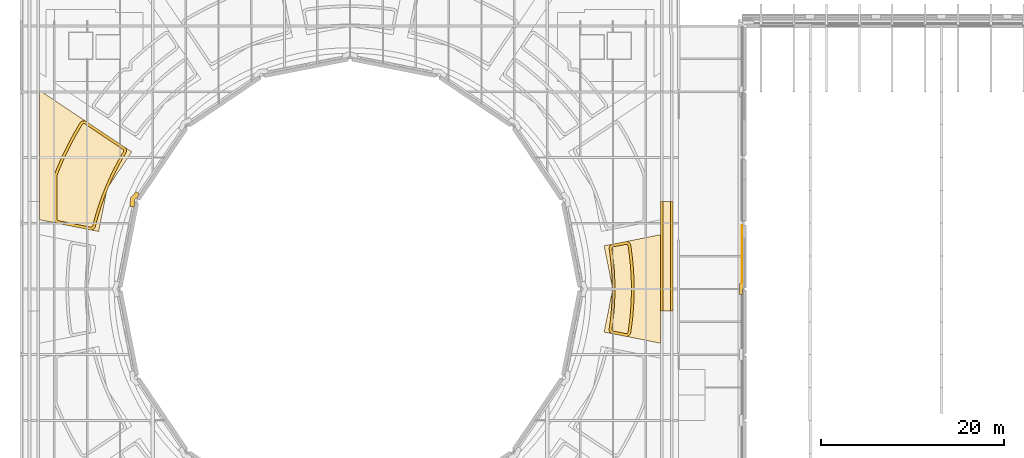
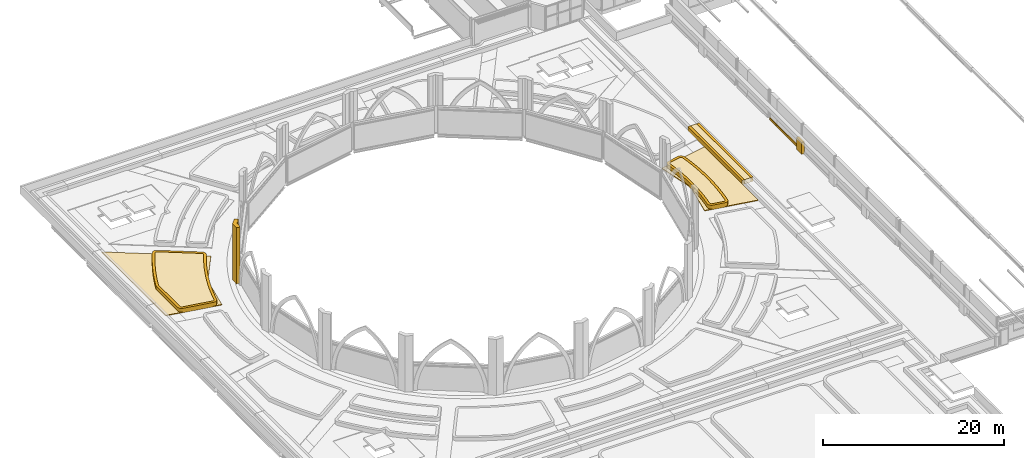
# One storey, part 93 of 110: 13 coverings.
"""IFC4 building model written with IfcOpenShell, lengths in metres."""

from ifc_helpers import new_model, si_unit, direction, frame, origin, origin_2d, place, context, subcontext, project, spatial, polyline, rectangle, outline, extrude, material, layer, layer_set, type_object, element, save


model = new_model("IFC4")

# Units and contexts
model_context = context("Model", 3, precision=1e-05, world=origin(), true_north=direction((0.0, 1.0)))
body_context = subcontext(model_context, "Body", "Model", "MODEL_VIEW")
ifc_project = project(units=[si_unit("LENGTHUNIT", "METRE"), si_unit("AREAUNIT", "SQUARE_METRE"), si_unit("VOLUMEUNIT", "CUBIC_METRE"), si_unit("PLANEANGLEUNIT", "RADIAN"), si_unit("MASSUNIT", "GRAM", prefix="KILO")], contexts=[model_context])

# Site, building, storey
site_placement = place(None, origin())
site = spatial("IfcSite", under=ifc_project, at=site_placement, CompositionType="ELEMENT")
building_placement = place(site_placement, origin())
building = spatial("IfcBuilding", under=site, at=building_placement, Name="Kupolbacken Congress Centre", CompositionType="ELEMENT")
storey_placement = place(building_placement, frame((0.0, 0.0, 18.0)))
storey = spatial("IfcBuildingStorey", under=building, at=storey_placement, Name="L05", CompositionType="ELEMENT", Elevation=18.0)

# Coverings
ifc_material_1 = material(Name="Brick cladding", Category="masonry")
ifc_layer_1 = layer(ifc_material_1, 0.10791015625)
ifc_layer_set_1 = layer_set([ifc_layer_1], Name="Brick cladding")
covering_type_1 = type_object("IfcCoveringType", Name="CV2 brick cladding band 108", PredefinedType="CLADDING", material=ifc_layer_set_1)
covering_1_placement = place(storey_placement, frame((86.135986328125, 92.62744140625, 0.0), z_axis=(0.0, 0.0, 1.0), x_axis=(0.0, -1.0, 0.0)))
element("IfcCovering", 1, at=covering_1_placement, inside=storey, type_object=covering_type_1, Name="E/H/W/L05/474/band", PredefinedType="CLADDING", context=body_context, shape_type="SweptSolid", body=[
    extrude(rectangle(XDim=1.455078125, YDim=0.10791015625, at=origin_2d()), origin(), (0.0, 0.0, 1.0), 0.300048828125),
])
covering_2_placement = place(storey_placement, frame((86.135986328125, 89.222412109375, 0.0), z_axis=(0.0, 0.0, 1.0), x_axis=(0.0, -1.0, 0.0)))
element("IfcCovering", 2, at=covering_2_placement, inside=storey, type_object=covering_type_1, Name="E/H/W/L05/475/band", PredefinedType="CLADDING", context=body_context, shape_type="SweptSolid", body=[
    extrude(rectangle(XDim=5.35498046875, YDim=0.10791015625, at=origin_2d()), origin(), (0.0, 0.0, 1.0), 0.300048828125),
])
ifc_material_2 = material(Name="Limestone cladding", Category="masonry")
ifc_layer_2 = layer(ifc_material_2, 0.35009765625)
ifc_layer_set_2 = layer_set([ifc_layer_2], Name="Limestone cladding")
covering_type_2 = type_object("IfcCoveringType", Name="CV3 limestone pilaster strip 350", PredefinedType="CLADDING", material=ifc_layer_set_2)
covering_3_placement = place(storey_placement, frame((86.014892578125, 86.39990234375, 0.0), z_axis=(0.0, 0.0, 1.0), x_axis=(0.0, 1.0, 0.0)))
element("IfcCovering", 3, at=covering_3_placement, inside=storey, type_object=covering_type_2, Name="F/H/W/pil/06/0", PredefinedType="CLADDING", context=body_context, shape_type="SweptSolid", body=[
    extrude(rectangle(XDim=1.199951171875, YDim=0.35009765625, at=origin_2d()), origin(), (0.0, 0.0, 1.0), 1.60009765625),
])
ifc_material_3 = material(Name="Limestone cladding", Category="masonry")
ifc_layer_3 = layer(ifc_material_3, 0.60009765625)
ifc_layer_set_3 = layer_set([ifc_layer_3], Name="Limestone cladding")
covering_type_3 = type_object("IfcCoveringType", Name="CV5 limestone arcade pier 600", PredefinedType="CLADDING", material=ifc_layer_set_3)
covering_4_placement = place(storey_placement, origin())
element("IfcCovering", 4, at=covering_4_placement, inside=storey, type_object=covering_type_3, Name="Bed kerb, plenary wing roof", PredefinedType="CLADDING", context=body_context, shape_type="SweptSolid", body=[
    extrude(outline(polyline([(77.197509765625, 96.0), (77.49755859375, 96.0), (77.49755859375, 84.0), (77.197509765625, 84.0), (77.197509765625, 96.0)])), origin(), (0.0, 0.0, 1.0), 0.60009765625),
])
covering_5_placement = place(storey_placement, origin())
element("IfcCovering", 5, at=covering_5_placement, inside=storey, type_object=covering_type_3, Name="Bed kerb, plenary wing roof", PredefinedType="CLADDING", context=body_context, shape_type="SweptSolid", body=[
    extrude(outline(polyline([(78.597412109375, 84.0), (78.297607421875, 84.0), (78.297607421875, 96.0), (78.597412109375, 96.0), (78.597412109375, 84.0)])), origin(), (0.0, 0.0, 1.0), 0.60009765625),
])
covering_6_placement = place(storey_placement, origin())
element("IfcCovering", 6, at=covering_6_placement, inside=storey, type_object=covering_type_3, Name="Bed kerb, plenary wing roof", PredefinedType="CLADDING", context=body_context, shape_type="SweptSolid", body=[
    extrude(outline(polyline([(71.609375, 82.18896484375), (71.703369140625, 82.88134765625), (71.7041015625, 82.887451171875), (71.78125, 83.581787109375), (71.78173828125, 83.587890625), (71.841796875, 84.2841796875), (71.84228515625, 84.290283203125), (71.885009765625, 84.98779296875), (71.88525390625, 84.993896484375), (71.910888671875, 85.692138671875), (71.9111328125, 85.6982421875), (71.919921875, 86.39697265625), (71.919921875, 86.403076171875), (71.9111328125, 87.101806640625), (71.910888671875, 87.10791015625), (71.88525390625, 87.80615234375), (71.885009765625, 87.812255859375), (71.84228515625, 88.509765625), (71.841796875, 88.515869140625), (71.78173828125, 89.2119140625), (71.78125, 89.218017578125), (71.7041015625, 89.91259765625), (71.703369140625, 89.918701171875), (71.609375, 90.611083984375), (71.6083984375, 90.6171875), (71.5888671875, 90.739501953125), (71.58349609375, 90.787109375), (71.582763671875, 90.835205078125), (71.58642578125, 90.8828125), (71.594970703125, 90.929931640625), (71.60791015625, 90.976318359375), (71.625, 91.02099609375), (71.646484375, 91.063720703125), (71.671875, 91.1044921875), (71.701171875, 91.142333984375), (71.73388671875, 91.177490234375), (71.769775390625, 91.208984375), (71.80859375, 91.2373046875), (71.849853515625, 91.261474609375), (71.893310546875, 91.28173828125), (71.9384765625, 91.2978515625), (71.98486328125, 91.309326171875), (73.358642578125, 91.58251953125), (73.408447265625, 91.58984375), (73.45849609375, 91.59228515625), (73.5087890625, 91.58935546875), (73.558349609375, 91.581787109375), (73.60693359375, 91.569091796875), (73.654052734375, 91.551513671875), (73.698974609375, 91.529296875), (73.74169921875, 91.502685546875), (73.781494140625, 91.47216796875), (73.81787109375, 91.4375), (73.8505859375, 91.3994140625), (73.87939453125, 91.3583984375), (73.904052734375, 91.314697265625), (73.924072265625, 91.2685546875), (73.939453125, 91.220703125), (73.949951171875, 91.171630859375), (73.98193359375, 90.972412109375), (73.98388671875, 90.960205078125), (74.0849609375, 90.215576171875), (74.08642578125, 90.203369140625), (74.169189453125, 89.456298828125), (74.17041015625, 89.444091796875), (74.235107421875, 88.6953125), (74.23583984375, 88.68310546875), (74.281982421875, 87.93310546875), (74.282470703125, 87.9208984375), (74.310302734375, 87.169921875), (74.310546875, 87.15771484375), (74.319580078125, 86.406005859375), (74.319580078125, 86.393798828125), (74.310546875, 85.642333984375), (74.310302734375, 85.630126953125), (74.282470703125, 84.879150390625), (74.281982421875, 84.866943359375), (74.23583984375, 84.11669921875), (74.235107421875, 84.1044921875), (74.17041015625, 83.355712890625), (74.169189453125, 83.343505859375), (74.08642578125, 82.5966796875), (74.0849609375, 82.58447265625), (73.98388671875, 81.83984375), (73.98193359375, 81.82763671875), (73.949951171875, 81.62841796875), (73.939453125, 81.5791015625), (73.924072265625, 81.531494140625), (73.904052734375, 81.4853515625), (73.87939453125, 81.441650390625), (73.8505859375, 81.400390625), (73.81787109375, 81.362548828125), (73.781494140625, 81.327880859375), (73.74169921875, 81.297119140625), (73.698974609375, 81.270751953125), (73.654052734375, 81.24853515625), (73.60693359375, 81.23095703125), (73.558349609375, 81.21826171875), (73.5087890625, 81.210693359375), (73.45849609375, 81.207763671875), (73.408447265625, 81.210205078125), (73.358642578125, 81.21728515625), (71.98486328125, 81.490478515625), (71.9384765625, 81.502197265625), (71.893310546875, 81.518310546875), (71.849853515625, 81.53857421875), (71.80859375, 81.562744140625), (71.769775390625, 81.5908203125), (71.73388671875, 81.62255859375), (71.701171875, 81.65771484375), (71.671875, 81.695556640625), (71.646484375, 81.736328125), (71.625, 81.779052734375), (71.60791015625, 81.82373046875), (71.594970703125, 81.8701171875), (71.58642578125, 81.917236328125), (71.582763671875, 81.96484375), (71.58349609375, 82.0126953125), (71.5888671875, 82.060546875), (71.6083984375, 82.182861328125), (71.609375, 82.18896484375)]), holes=[polyline([(71.885986328125, 82.02001953125), (71.88330078125, 81.99365234375), (71.8828125, 81.974609375), (71.884521484375, 81.95556640625), (71.8876953125, 81.936767578125), (71.892822265625, 81.918212890625), (71.89990234375, 81.900390625), (71.908203125, 81.88330078125), (71.91845703125, 81.8671875), (71.93017578125, 81.851806640625), (71.943115234375, 81.837890625), (71.95751953125, 81.8251953125), (71.972900390625, 81.81396484375), (71.989501953125, 81.80419921875), (72.0068359375, 81.796142578125), (72.02490234375, 81.789794921875), (72.050537109375, 81.783447265625), (73.409912109375, 81.51318359375), (73.437255859375, 81.509033203125), (73.457275390625, 81.50830078125), (73.477294921875, 81.50927734375), (73.4970703125, 81.512451171875), (73.516357421875, 81.517333984375), (73.53515625, 81.5244140625), (73.55322265625, 81.533203125), (73.5703125, 81.5439453125), (73.586181640625, 81.55615234375), (73.6005859375, 81.56982421875), (73.61376953125, 81.585205078125), (73.625244140625, 81.6015625), (73.635009765625, 81.618896484375), (73.64306640625, 81.637451171875), (73.649169921875, 81.656494140625), (73.65478515625, 81.68359375), (73.685546875, 81.87353515625), (73.686767578125, 81.882080078125), (73.787353515625, 82.623046875), (73.78857421875, 82.631591796875), (73.870849609375, 83.375), (73.87158203125, 83.38330078125), (73.935791015625, 84.12841796875), (73.9365234375, 84.136962890625), (73.982421875, 84.883544921875), (73.98291015625, 84.89208984375), (74.01025390625, 85.639404296875), (74.010498046875, 85.64794921875), (74.019775390625, 86.395751953125), (74.019775390625, 86.404296875), (74.010498046875, 87.152099609375), (74.01025390625, 87.16064453125), (73.98291015625, 87.907958984375), (73.982421875, 87.91650390625), (73.9365234375, 88.6630859375), (73.935791015625, 88.67138671875), (73.87158203125, 89.41650390625), (73.870849609375, 89.425048828125), (73.78857421875, 90.16845703125), (73.787353515625, 90.177001953125), (73.686767578125, 90.91796875), (73.685546875, 90.926513671875), (73.65478515625, 91.116455078125), (73.649169921875, 91.1435546875), (73.64306640625, 91.16259765625), (73.635009765625, 91.180908203125), (73.625244140625, 91.198486328125), (73.61376953125, 91.21484375), (73.6005859375, 91.22998046875), (73.586181640625, 91.243896484375), (73.5703125, 91.256103515625), (73.55322265625, 91.2666015625), (73.53515625, 91.275634765625), (73.516357421875, 91.28271484375), (73.4970703125, 91.28759765625), (73.477294921875, 91.290771484375), (73.457275390625, 91.291748046875), (73.437255859375, 91.291015625), (73.409912109375, 91.286865234375), (72.050537109375, 91.0166015625), (72.02490234375, 91.01025390625), (72.0068359375, 91.00390625), (71.989501953125, 90.99560546875), (71.972900390625, 90.986083984375), (71.95751953125, 90.974609375), (71.943115234375, 90.962158203125), (71.93017578125, 90.947998046875), (71.91845703125, 90.932861328125), (71.908203125, 90.916748046875), (71.89990234375, 90.899658203125), (71.892822265625, 90.881591796875), (71.8876953125, 90.86328125), (71.884521484375, 90.844482421875), (71.8828125, 90.825439453125), (71.88330078125, 90.806396484375), (71.885986328125, 90.780029296875), (71.90478515625, 90.662841796875), (71.906494140625, 90.6533203125), (72.0009765625, 89.957275390625), (72.002197265625, 89.947509765625), (72.07958984375, 89.249267578125), (72.08056640625, 89.239501953125), (72.140869140625, 88.539794921875), (72.1416015625, 88.52978515625), (72.1845703125, 87.828857421875), (72.18505859375, 87.819091796875), (72.2109375, 87.1171875), (72.211181640625, 87.107421875), (72.2197265625, 86.40478515625), (72.2197265625, 86.39501953125), (72.211181640625, 85.692626953125), (72.2109375, 85.682861328125), (72.18505859375, 84.98095703125), (72.1845703125, 84.97119140625), (72.1416015625, 84.27001953125), (72.140869140625, 84.26025390625), (72.08056640625, 83.560546875), (72.07958984375, 83.55078125), (72.002197265625, 82.8525390625), (72.0009765625, 82.8427734375), (71.906494140625, 82.146728515625), (71.90478515625, 82.13720703125), (71.885986328125, 82.02001953125)])]), origin(), (0.0, 0.0, 1.0), 0.60009765625),
])
covering_7_placement = place(storey_placement, origin())
element("IfcCovering", 7, at=covering_7_placement, inside=storey, type_object=covering_type_3, Name="Bed kerb, plenary wing roof", PredefinedType="CLADDING", context=body_context, shape_type="SweptSolid", body=[
    extrude(outline(polyline([(10.8046875, 98.836181640625), (10.8115234375, 98.88330078125), (10.82275390625, 98.929443359375), (10.838134765625, 98.974365234375), (11.120849609375, 99.680908203125), (11.12548828125, 99.6923828125), (11.456298828125, 100.46435546875), (11.46142578125, 100.4755859375), (11.81103515625, 101.239013671875), (11.81640625, 101.25), (12.184814453125, 102.0048828125), (12.190185546875, 102.015869140625), (12.576904296875, 102.761474609375), (12.582763671875, 102.772216796875), (12.98779296875, 103.508056640625), (12.993896484375, 103.5185546875), (13.416748046875, 104.244140625), (13.423095703125, 104.2548828125), (13.62158203125, 104.5771484375), (13.650146484375, 104.618408203125), (13.6826171875, 104.65673828125), (13.71875, 104.691650390625), (13.75830078125, 104.72265625), (13.800537109375, 104.749755859375), (13.845458984375, 104.772216796875), (13.892333984375, 104.790283203125), (13.94091796875, 104.80322265625), (13.990234375, 104.8115234375), (14.040283203125, 104.814697265625), (14.090576171875, 104.81298828125), (14.140380859375, 104.80615234375), (14.189208984375, 104.794189453125), (14.236572265625, 104.777587890625), (14.281982421875, 104.75634765625), (14.3251953125, 104.73046875), (18.485107421875, 101.951171875), (18.5234375, 101.922607421875), (18.55908203125, 101.890625), (18.591552734375, 101.855224609375), (18.620361328125, 101.81689453125), (18.6455078125, 101.776123046875), (18.66650390625, 101.733154296875), (18.683349609375, 101.688232421875), (18.69580078125, 101.64208984375), (18.70361328125, 101.5947265625), (18.70703125, 101.546875), (18.705810546875, 101.4990234375), (18.7001953125, 101.451416015625), (18.689697265625, 101.404541015625), (18.675048828125, 101.35888671875), (18.656005859375, 101.315185546875), (18.6328125, 101.273193359375), (18.56787109375, 101.16748046875), (18.564697265625, 101.162353515625), (18.212890625, 100.55859375), (18.209716796875, 100.55322265625), (17.872802734375, 99.941162109375), (17.8701171875, 99.935791015625), (17.548095703125, 99.3154296875), (17.54541015625, 99.31005859375), (17.239013671875, 98.68212890625), (17.236328125, 98.676513671875), (16.9453125, 98.041259765625), (16.94287109375, 98.03564453125), (16.66748046875, 97.393310546875), (16.665283203125, 97.3876953125), (16.40576171875, 96.739013671875), (16.403564453125, 96.733154296875), (16.16015625, 96.078369140625), (16.157958984375, 96.072509765625), (15.9306640625, 95.411865234375), (15.9287109375, 95.406005859375), (15.7177734375, 94.73974609375), (15.716064453125, 94.73388671875), (15.521484375, 94.06298828125), (15.519775390625, 94.056884765625), (15.341796875, 93.38134765625), (15.340087890625, 93.37548828125), (15.311279296875, 93.25341796875), (15.298095703125, 93.20751953125), (15.2802734375, 93.162841796875), (15.258544921875, 93.1201171875), (15.232666015625, 93.079833984375), (15.203125, 93.0419921875), (15.170166015625, 93.00732421875), (15.1337890625, 92.97607421875), (15.094970703125, 92.9482421875), (15.05322265625, 92.92431640625), (15.009765625, 92.904541015625), (14.96435546875, 92.888916015625), (14.917724609375, 92.877685546875), (14.870361328125, 92.87109375), (14.822509765625, 92.868896484375), (14.774658203125, 92.87158203125), (14.727294921875, 92.878662109375), (11.205078125, 93.5791015625), (11.157470703125, 93.591064453125), (11.111083984375, 93.607666015625), (11.06689453125, 93.628662109375), (11.024658203125, 93.65380859375), (10.9853515625, 93.68310546875), (10.948974609375, 93.716064453125), (10.916015625, 93.75244140625), (10.88671875, 93.791748046875), (10.861572265625, 93.833984375), (10.840576171875, 93.878173828125), (10.823974609375, 93.92431640625), (10.81201171875, 93.971923828125), (10.804931640625, 94.0205078125), (10.802490234375, 94.069580078125), (10.802490234375, 98.788818359375), (10.8046875, 98.836181640625)]), holes=[polyline([(11.1025390625, 94.076904296875), (11.103759765625, 94.050048828125), (11.106689453125, 94.030517578125), (11.111572265625, 94.01171875), (11.1181640625, 93.9931640625), (11.12646484375, 93.975341796875), (11.136474609375, 93.95849609375), (11.148193359375, 93.94287109375), (11.161376953125, 93.928466796875), (11.17578125, 93.915283203125), (11.191650390625, 93.903564453125), (11.20849609375, 93.8935546875), (11.22607421875, 93.885009765625), (11.24462890625, 93.87841796875), (11.270751953125, 93.8720703125), (14.77880859375, 93.17431640625), (14.8046875, 93.17041015625), (14.823974609375, 93.16943359375), (14.843017578125, 93.170166015625), (14.86181640625, 93.1728515625), (14.880615234375, 93.17724609375), (14.898681640625, 93.18359375), (14.916015625, 93.19140625), (14.9326171875, 93.200927734375), (14.9482421875, 93.212158203125), (14.962646484375, 93.224609375), (14.975830078125, 93.238525390625), (14.98779296875, 93.25341796875), (14.998046875, 93.269775390625), (15.006591796875, 93.28662109375), (15.013671875, 93.304443359375), (15.02099609375, 93.329833984375), (15.048583984375, 93.446533203125), (15.051025390625, 93.4560546875), (15.22998046875, 94.13525390625), (15.23291015625, 94.144775390625), (15.428466796875, 94.8193359375), (15.43115234375, 94.82861328125), (15.643310546875, 95.498291015625), (15.646484375, 95.507568359375), (15.875, 96.171875), (15.87841796875, 96.18115234375), (16.123046875, 96.839599609375), (16.12646484375, 96.8486328125), (16.387451171875, 97.500732421875), (16.39111328125, 97.510009765625), (16.66796875, 98.155517578125), (16.671875, 98.16455078125), (16.96435546875, 98.802978515625), (16.968505859375, 98.81201171875), (17.276611328125, 99.443115234375), (17.281005859375, 99.451904296875), (17.6044921875, 100.075439453125), (17.609130859375, 100.083984375), (17.947998046875, 100.699462890625), (17.95263671875, 100.7080078125), (18.306396484375, 101.31494140625), (18.311279296875, 101.3232421875), (18.373779296875, 101.42431640625), (18.386474609375, 101.447509765625), (18.39404296875, 101.465087890625), (18.39990234375, 101.483154296875), (18.404052734375, 101.501953125), (18.40625, 101.52099609375), (18.40673828125, 101.5400390625), (18.405517578125, 101.55908203125), (18.40234375, 101.577880859375), (18.397216796875, 101.596435546875), (18.390625, 101.614501953125), (18.382080078125, 101.631591796875), (18.372314453125, 101.64794921875), (18.360595703125, 101.6630859375), (18.34765625, 101.67724609375), (18.33349609375, 101.68994140625), (18.312255859375, 101.705810546875), (14.164794921875, 104.476806640625), (14.14111328125, 104.4912109375), (14.122802734375, 104.49951171875), (14.10400390625, 104.506103515625), (14.08447265625, 104.510986328125), (14.064697265625, 104.513671875), (14.044677734375, 104.514404296875), (14.024658203125, 104.51318359375), (14.0048828125, 104.509765625), (13.985595703125, 104.504638671875), (13.966796875, 104.497314453125), (13.94873046875, 104.48828125), (13.931884765625, 104.477783203125), (13.916015625, 104.46533203125), (13.901611328125, 104.451416015625), (13.888916015625, 104.43603515625), (13.873046875, 104.413330078125), (13.679443359375, 104.09912109375), (13.675048828125, 104.091552734375), (13.25390625, 103.369140625), (13.249755859375, 103.36181640625), (12.846435546875, 102.629150390625), (12.842529296875, 102.62158203125), (12.45751953125, 101.87939453125), (12.45361328125, 101.87158203125), (12.0869140625, 101.1201171875), (12.0830078125, 101.1123046875), (11.73486328125, 100.352294921875), (11.7314453125, 100.344482421875), (11.402099609375, 99.57568359375), (11.398681640625, 99.56787109375), (11.119384765625, 98.86962890625), (11.11083984375, 98.844970703125), (11.1064453125, 98.826416015625), (11.103759765625, 98.8076171875), (11.1025390625, 98.781494140625), (11.1025390625, 94.076904296875)])]), origin(), (0.0, 0.0, 1.0), 0.60009765625),
])
ifc_material_4 = material(Name="Limestone cladding", Category="masonry")
ifc_layer_4 = layer(ifc_material_4, 0.5)
ifc_layer_set_4 = layer_set([ifc_layer_4], Name="Limestone cladding")
covering_type_4 = type_object("IfcCoveringType", Name="CV8 limestone drum pier 500", PredefinedType="CLADDING", material=ifc_layer_set_4)
covering_8_placement = place(storey_placement, origin())
element("IfcCovering", 8, at=covering_8_placement, inside=storey, type_object=covering_type_4, Name="F/drum/pier-lo/14/0", PredefinedType="CLADDING", context=body_context, shape_type="SweptSolid", body=[
    extrude(outline(polyline([(19.76416015625, 97.04638671875), (19.14208984375, 96.36376953125), (19.09765625, 95.443603515625), (19.539306640625, 95.356689453125), (19.6357421875, 95.84716796875), (19.576171875, 96.18408203125), (19.857421875, 96.38037109375), (20.13720703125, 96.794677734375), (19.76416015625, 97.04638671875)])), origin(), (0.0, 0.0, 1.0), 7.60009765625),
])
ifc_material_5 = material(Name="Grass", Category="soil")
ifc_layer_5 = layer(ifc_material_5, 0.10009765625)
ifc_layer_set_5 = layer_set([ifc_layer_5], Name="Grass")
covering_type_5 = type_object("IfcCoveringType", Name="GR2 grass surface 100", PredefinedType="FLOORING", material=ifc_layer_set_5)
covering_9_placement = place(storey_placement, origin())
element("IfcCovering", 9, at=covering_9_placement, inside=storey, type_object=covering_type_5, Name="Green roof, plenary wing roof", PredefinedType="FLOORING", context=body_context, shape_type="SweptSolid", body=[
    extrude(outline(polyline([(77.199462890625, 92.346435546875), (77.199462890625, 80.45361328125), (71.0380859375, 81.678955078125), (71.9677734375, 86.39990234375), (71.0380859375, 91.12109375), (77.199462890625, 92.346435546875)])), origin(), (0.0, 0.0, 1.0), 0.10009765625),
])
covering_10_placement = place(storey_placement, origin())
element("IfcCovering", 10, at=covering_10_placement, inside=storey, type_object=covering_type_5, Name="Green roof, plenary wing roof", PredefinedType="FLOORING", context=body_context, shape_type="SweptSolid", body=[
    extrude(outline(polyline([(9.200439453125, 93.977783203125), (9.200439453125, 108.154541015625), (19.29443359375, 101.410400390625), (16.602294921875, 97.421142578125), (15.6708984375, 92.69091796875), (9.200439453125, 93.977783203125)])), origin(), (0.0, 0.0, 1.0), 0.10009765625),
])
ifc_material_6 = material(Name="Planting substrate", Category="soil")
ifc_layer_6 = layer(ifc_material_6, 0.60009765625)
ifc_layer_set_6 = layer_set([ifc_layer_6], Name="Planting substrate")
covering_type_6 = type_object("IfcCoveringType", Name="GR8 planting substrate 600", PredefinedType="FLOORING", material=ifc_layer_set_6)
covering_11_placement = place(storey_placement, origin())
element("IfcCovering", 11, at=covering_11_placement, inside=storey, type_object=covering_type_6, Name="Planting bed, plenary wing roof", PredefinedType="FLOORING", context=body_context, shape_type="SweptSolid", body=[
    extrude(outline(polyline([(77.49755859375, 96.0), (78.297607421875, 96.0), (78.297607421875, 84.0), (77.49755859375, 84.0), (77.49755859375, 96.0)])), origin(), (0.0, 0.0, 1.0), 0.60009765625),
])
covering_12_placement = place(storey_placement, origin())
element("IfcCovering", 12, at=covering_12_placement, inside=storey, type_object=covering_type_6, Name="Planting bed, plenary wing roof", PredefinedType="FLOORING", context=body_context, shape_type="SweptSolid", body=[
    extrude(outline(polyline([(71.90478515625, 82.13720703125), (71.906494140625, 82.146728515625), (72.0009765625, 82.8427734375), (72.002197265625, 82.8525390625), (72.07958984375, 83.55078125), (72.08056640625, 83.560546875), (72.140869140625, 84.26025390625), (72.1416015625, 84.27001953125), (72.1845703125, 84.97119140625), (72.18505859375, 84.98095703125), (72.2109375, 85.682861328125), (72.211181640625, 85.692626953125), (72.2197265625, 86.39501953125), (72.2197265625, 86.40478515625), (72.211181640625, 87.107421875), (72.2109375, 87.1171875), (72.18505859375, 87.819091796875), (72.1845703125, 87.828857421875), (72.1416015625, 88.52978515625), (72.140869140625, 88.539794921875), (72.08056640625, 89.239501953125), (72.07958984375, 89.249267578125), (72.002197265625, 89.947509765625), (72.0009765625, 89.957275390625), (71.906494140625, 90.6533203125), (71.90478515625, 90.662841796875), (71.885986328125, 90.780029296875), (71.88330078125, 90.806396484375), (71.8828125, 90.825439453125), (71.884521484375, 90.844482421875), (71.8876953125, 90.86328125), (71.892822265625, 90.881591796875), (71.89990234375, 90.899658203125), (71.908203125, 90.916748046875), (71.91845703125, 90.932861328125), (71.93017578125, 90.947998046875), (71.943115234375, 90.962158203125), (71.95751953125, 90.974609375), (71.972900390625, 90.986083984375), (71.989501953125, 90.99560546875), (72.0068359375, 91.00390625), (72.02490234375, 91.01025390625), (72.050537109375, 91.0166015625), (73.409912109375, 91.286865234375), (73.437255859375, 91.291015625), (73.457275390625, 91.291748046875), (73.477294921875, 91.290771484375), (73.4970703125, 91.28759765625), (73.516357421875, 91.28271484375), (73.53515625, 91.275634765625), (73.55322265625, 91.2666015625), (73.5703125, 91.256103515625), (73.586181640625, 91.243896484375), (73.6005859375, 91.22998046875), (73.61376953125, 91.21484375), (73.625244140625, 91.198486328125), (73.635009765625, 91.180908203125), (73.64306640625, 91.16259765625), (73.649169921875, 91.1435546875), (73.65478515625, 91.116455078125), (73.685546875, 90.926513671875), (73.686767578125, 90.91796875), (73.787353515625, 90.177001953125), (73.78857421875, 90.16845703125), (73.870849609375, 89.425048828125), (73.87158203125, 89.41650390625), (73.935791015625, 88.67138671875), (73.9365234375, 88.6630859375), (73.982421875, 87.91650390625), (73.98291015625, 87.907958984375), (74.01025390625, 87.16064453125), (74.010498046875, 87.152099609375), (74.019775390625, 86.404296875), (74.019775390625, 86.395751953125), (74.010498046875, 85.64794921875), (74.01025390625, 85.639404296875), (73.98291015625, 84.89208984375), (73.982421875, 84.883544921875), (73.9365234375, 84.136962890625), (73.935791015625, 84.12841796875), (73.87158203125, 83.38330078125), (73.870849609375, 83.375), (73.78857421875, 82.631591796875), (73.787353515625, 82.623046875), (73.686767578125, 81.882080078125), (73.685546875, 81.87353515625), (73.65478515625, 81.68359375), (73.649169921875, 81.656494140625), (73.64306640625, 81.637451171875), (73.635009765625, 81.618896484375), (73.625244140625, 81.6015625), (73.61376953125, 81.585205078125), (73.6005859375, 81.56982421875), (73.586181640625, 81.55615234375), (73.5703125, 81.5439453125), (73.55322265625, 81.533203125), (73.53515625, 81.5244140625), (73.516357421875, 81.517333984375), (73.4970703125, 81.512451171875), (73.477294921875, 81.50927734375), (73.457275390625, 81.50830078125), (73.437255859375, 81.509033203125), (73.409912109375, 81.51318359375), (72.050537109375, 81.783447265625), (72.02490234375, 81.789794921875), (72.0068359375, 81.796142578125), (71.989501953125, 81.80419921875), (71.972900390625, 81.81396484375), (71.95751953125, 81.8251953125), (71.943115234375, 81.837890625), (71.93017578125, 81.851806640625), (71.91845703125, 81.8671875), (71.908203125, 81.88330078125), (71.89990234375, 81.900390625), (71.892822265625, 81.918212890625), (71.8876953125, 81.936767578125), (71.884521484375, 81.95556640625), (71.8828125, 81.974609375), (71.88330078125, 81.99365234375), (71.885986328125, 82.02001953125), (71.90478515625, 82.13720703125)])), origin(), (0.0, 0.0, 1.0), 0.60009765625),
])
covering_13_placement = place(storey_placement, origin())
element("IfcCovering", 13, at=covering_13_placement, inside=storey, type_object=covering_type_6, Name="Planting bed, plenary wing roof", PredefinedType="FLOORING", context=body_context, shape_type="SweptSolid", body=[
    extrude(outline(polyline([(11.1025390625, 98.781494140625), (11.103759765625, 98.8076171875), (11.1064453125, 98.826416015625), (11.11083984375, 98.844970703125), (11.119384765625, 98.86962890625), (11.398681640625, 99.56787109375), (11.402099609375, 99.57568359375), (11.7314453125, 100.344482421875), (11.73486328125, 100.352294921875), (12.0830078125, 101.1123046875), (12.0869140625, 101.1201171875), (12.45361328125, 101.87158203125), (12.45751953125, 101.87939453125), (12.842529296875, 102.62158203125), (12.846435546875, 102.629150390625), (13.249755859375, 103.36181640625), (13.25390625, 103.369140625), (13.675048828125, 104.091552734375), (13.679443359375, 104.09912109375), (13.873046875, 104.413330078125), (13.888916015625, 104.43603515625), (13.901611328125, 104.451416015625), (13.916015625, 104.46533203125), (13.931884765625, 104.477783203125), (13.94873046875, 104.48828125), (13.966796875, 104.497314453125), (13.985595703125, 104.504638671875), (14.0048828125, 104.509765625), (14.024658203125, 104.51318359375), (14.044677734375, 104.514404296875), (14.064697265625, 104.513671875), (14.08447265625, 104.510986328125), (14.10400390625, 104.506103515625), (14.122802734375, 104.49951171875), (14.14111328125, 104.4912109375), (14.164794921875, 104.476806640625), (18.312255859375, 101.705810546875), (18.33349609375, 101.68994140625), (18.34765625, 101.67724609375), (18.360595703125, 101.6630859375), (18.372314453125, 101.64794921875), (18.382080078125, 101.631591796875), (18.390625, 101.614501953125), (18.397216796875, 101.596435546875), (18.40234375, 101.577880859375), (18.405517578125, 101.55908203125), (18.40673828125, 101.5400390625), (18.40625, 101.52099609375), (18.404052734375, 101.501953125), (18.39990234375, 101.483154296875), (18.39404296875, 101.465087890625), (18.386474609375, 101.447509765625), (18.373779296875, 101.42431640625), (18.311279296875, 101.3232421875), (18.306396484375, 101.31494140625), (17.95263671875, 100.7080078125), (17.947998046875, 100.699462890625), (17.609130859375, 100.083984375), (17.6044921875, 100.075439453125), (17.281005859375, 99.451904296875), (17.276611328125, 99.443115234375), (16.968505859375, 98.81201171875), (16.96435546875, 98.802978515625), (16.671875, 98.16455078125), (16.66796875, 98.155517578125), (16.39111328125, 97.510009765625), (16.387451171875, 97.500732421875), (16.12646484375, 96.8486328125), (16.123046875, 96.839599609375), (15.87841796875, 96.18115234375), (15.875, 96.171875), (15.646484375, 95.507568359375), (15.643310546875, 95.498291015625), (15.43115234375, 94.82861328125), (15.428466796875, 94.8193359375), (15.23291015625, 94.144775390625), (15.22998046875, 94.13525390625), (15.051025390625, 93.4560546875), (15.048583984375, 93.446533203125), (15.02099609375, 93.329833984375), (15.013671875, 93.304443359375), (15.006591796875, 93.28662109375), (14.998046875, 93.269775390625), (14.98779296875, 93.25341796875), (14.975830078125, 93.238525390625), (14.962646484375, 93.224609375), (14.9482421875, 93.212158203125), (14.9326171875, 93.200927734375), (14.916015625, 93.19140625), (14.898681640625, 93.18359375), (14.880615234375, 93.17724609375), (14.86181640625, 93.1728515625), (14.843017578125, 93.170166015625), (14.823974609375, 93.16943359375), (14.8046875, 93.17041015625), (14.77880859375, 93.17431640625), (11.270751953125, 93.8720703125), (11.24462890625, 93.87841796875), (11.22607421875, 93.885009765625), (11.20849609375, 93.8935546875), (11.191650390625, 93.903564453125), (11.17578125, 93.915283203125), (11.161376953125, 93.928466796875), (11.148193359375, 93.94287109375), (11.136474609375, 93.95849609375), (11.12646484375, 93.975341796875), (11.1181640625, 93.9931640625), (11.111572265625, 94.01171875), (11.106689453125, 94.030517578125), (11.103759765625, 94.050048828125), (11.1025390625, 94.076904296875), (11.1025390625, 98.781494140625)])), origin(), (0.0, 0.0, 1.0), 0.60009765625),
])

save(model, "model.ifc")
